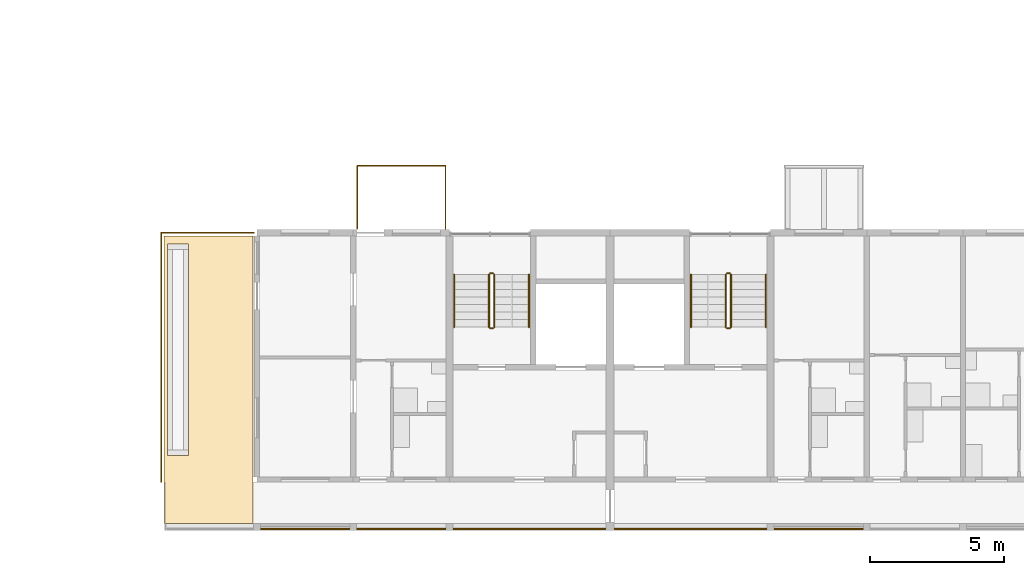
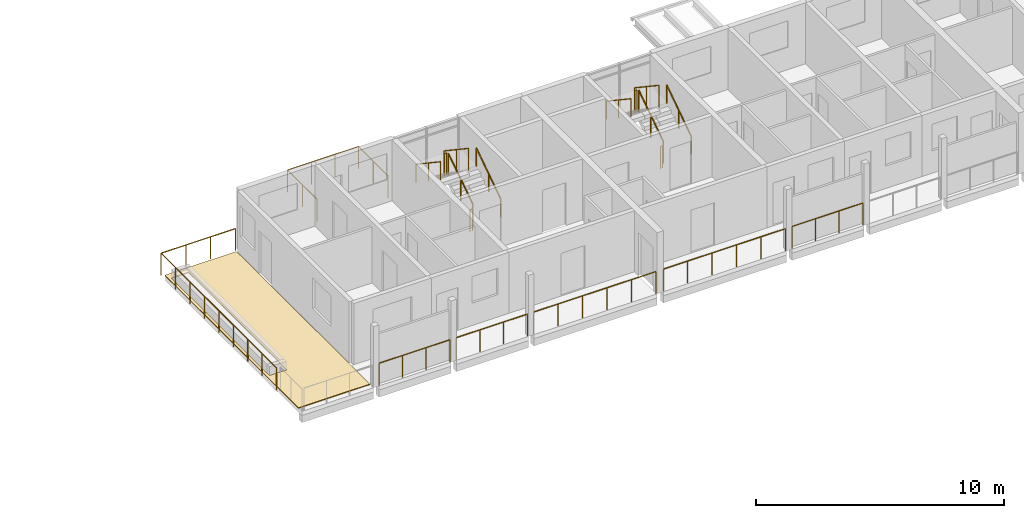
# One storey, part 77 of 87: 19 railings, 2 coverings.
"""IFC4 building model written with IfcOpenShell, lengths in metres."""

from ifc_helpers import new_model, si_unit, direction, frame, origin, origin_2d, place, context, subcontext, project, spatial, polyline, circle, outline, extrude, material, layer, layer_set, type_object, element, save


model = new_model("IFC4")

# Units and contexts
model_context = context("Model", 3, precision=1e-05, world=origin(), true_north=direction((0.0, 1.0)))
body_context = subcontext(model_context, "Body", "Model", "MODEL_VIEW")
ifc_project = project(units=[si_unit("LENGTHUNIT", "METRE"), si_unit("AREAUNIT", "SQUARE_METRE"), si_unit("VOLUMEUNIT", "CUBIC_METRE"), si_unit("PLANEANGLEUNIT", "RADIAN"), si_unit("MASSUNIT", "GRAM", prefix="KILO")], contexts=[model_context])

# Site, building, storey
site_placement = place(None, origin())
site = spatial("IfcSite", under=ifc_project, at=site_placement, CompositionType="ELEMENT")
building_placement = place(site_placement, origin())
building = spatial("IfcBuilding", under=site, at=building_placement, Name="Ridgestep Commons", CompositionType="ELEMENT")
storey_placement = place(building_placement, frame((0.0, 0.0, 27.0)))
storey = spatial("IfcBuildingStorey", under=building, at=storey_placement, Name="L09", CompositionType="ELEMENT", Elevation=27.0)

# Railings
ifc_material_1 = material(Name="Structural steel S355JR", Category="steel")
railing_type_1 = type_object("IfcRailingType", Name="Guard 1100", PredefinedType="GUARDRAIL", material=ifc_material_1)
railing_1_placement = place(storey_placement, frame((146.821044921875, 13.571044921875, 0.0)))
element("IfcRailing", 1, at=railing_1_placement, inside=storey, type_object=railing_type_1, Name="Guard TD-D1R1-GD", PredefinedType="GUARDRAIL", context=body_context, shape_type="SweptSolid", body=[
    extrude(circle(Radius=0.02392578125, at=origin_2d()), frame((0.0, 0.0, 1.076171875), z_axis=(0.0, 1.0, 0.0), x_axis=(-1.0, 0.0, 0.0)), (0.0, 0.0, 1.0), 9.303955078125),
    extrude(circle(Radius=0.02392578125, at=origin_2d()), frame((0.0, 9.303955078125, 1.076171875), z_axis=(1.0, 0.0, 0.0), x_axis=(0.0, 1.0, 0.0)), (0.0, 0.0, 1.0), 3.4580078125),
    extrude(circle(Radius=0.02099609375, at=origin_2d()), origin(), (0.0, 0.0, 1.0), 1.052001953125),
    extrude(circle(Radius=0.02099609375, at=origin_2d()), frame((0.0, 1.1630859375, 0.0)), (0.0, 0.0, 1.0), 1.052001953125),
    extrude(circle(Radius=0.02099609375, at=origin_2d()), frame((0.0, 2.325927734375, 0.0)), (0.0, 0.0, 1.0), 1.052001953125),
    extrude(circle(Radius=0.02099609375, at=origin_2d()), frame((0.0, 3.489013671875, 0.0)), (0.0, 0.0, 1.0), 1.052001953125),
    extrude(circle(Radius=0.02099609375, at=origin_2d()), frame((0.0, 4.65185546875, 0.0)), (0.0, 0.0, 1.0), 1.052001953125),
    extrude(circle(Radius=0.02099609375, at=origin_2d()), frame((0.0, 5.81494140625, 0.0)), (0.0, 0.0, 1.0), 1.052001953125),
    extrude(circle(Radius=0.02099609375, at=origin_2d()), frame((0.0, 6.97802734375, 0.0)), (0.0, 0.0, 1.0), 1.052001953125),
    extrude(circle(Radius=0.02099609375, at=origin_2d()), frame((0.0, 8.140869140625, 0.0)), (0.0, 0.0, 1.0), 1.052001953125),
    extrude(circle(Radius=0.02099609375, at=origin_2d()), frame((0.0, 9.303955078125, 0.0)), (0.0, 0.0, 1.0), 1.052001953125),
    extrude(circle(Radius=0.02099609375, at=origin_2d()), frame((1.152587890625, 9.303955078125, 0.0)), (0.0, 0.0, 1.0), 1.052001953125),
    extrude(circle(Radius=0.02099609375, at=origin_2d()), frame((2.305419921875, 9.303955078125, 0.0)), (0.0, 0.0, 1.0), 1.052001953125),
    extrude(circle(Radius=0.02099609375, at=origin_2d()), frame((3.4580078125, 9.303955078125, 0.0)), (0.0, 0.0, 1.0), 1.052001953125),
])
for number, where, name in (
    (2, (150.5458984375, 11.800048828125, 0.0), "Gallery guard D 09.2"),
    (3, (154.14599609375, 11.800048828125, 0.0), "Gallery guard D 09.3"),
):
    element("IfcRailing", number, at=place(storey_placement, frame(where)), inside=storey, type_object=railing_type_1, Name=name, PredefinedType="GUARDRAIL", context=body_context, shape_type="SweptSolid", body=[
        extrude(circle(Radius=0.02392578125, at=origin_2d()), frame((0.0, 0.0, 1.076171875), z_axis=(1.0, 0.0, 0.0), x_axis=(0.0, 1.0, 0.0)), (0.0, 0.0, 1.0), 3.30810546875),
        extrude(circle(Radius=0.02099609375, at=origin_2d()), origin(), (0.0, 0.0, 1.0), 1.052001953125),
        extrude(circle(Radius=0.02099609375, at=origin_2d()), frame((1.102783203125, 0.0, 0.0)), (0.0, 0.0, 1.0), 1.052001953125),
        extrude(circle(Radius=0.02099609375, at=origin_2d()), frame((2.205322265625, 0.0, 0.0)), (0.0, 0.0, 1.0), 1.052001953125),
        extrude(circle(Radius=0.02099609375, at=origin_2d()), frame((3.30810546875, 0.0, 0.0)), (0.0, 0.0, 1.0), 1.052001953125),
    ])
railing_2_placement = place(storey_placement, frame((157.74609375, 11.800048828125, 0.0)))
element("IfcRailing", 4, at=railing_2_placement, inside=storey, type_object=railing_type_1, Name="Gallery guard D 09.4", PredefinedType="GUARDRAIL", context=body_context, shape_type="SweptSolid", body=[
    extrude(circle(Radius=0.02392578125, at=origin_2d()), frame((0.0, 0.0, 1.076171875), z_axis=(1.0, 0.0, 0.0), x_axis=(0.0, 1.0, 0.0)), (0.0, 0.0, 1.0), 5.682861328125),
    extrude(circle(Radius=0.02099609375, at=origin_2d()), origin(), (0.0, 0.0, 1.0), 1.052001953125),
    extrude(circle(Radius=0.02099609375, at=origin_2d()), frame((1.136474609375, 0.0, 0.0)), (0.0, 0.0, 1.0), 1.052001953125),
    extrude(circle(Radius=0.02099609375, at=origin_2d()), frame((2.273193359375, 0.0, 0.0)), (0.0, 0.0, 1.0), 1.052001953125),
    extrude(circle(Radius=0.02099609375, at=origin_2d()), frame((3.40966796875, 0.0, 0.0)), (0.0, 0.0, 1.0), 1.052001953125),
    extrude(circle(Radius=0.02099609375, at=origin_2d()), frame((4.54638671875, 0.0, 0.0)), (0.0, 0.0, 1.0), 1.052001953125),
    extrude(circle(Radius=0.02099609375, at=origin_2d()), frame((5.682861328125, 0.0, 0.0)), (0.0, 0.0, 1.0), 1.052001953125),
])
railing_3_placement = place(storey_placement, frame((163.77099609375, 11.800048828125, 0.0)))
element("IfcRailing", 5, at=railing_3_placement, inside=storey, type_object=railing_type_1, Name="Gallery guard D 09.5", PredefinedType="GUARDRAIL", context=body_context, shape_type="SweptSolid", body=[
    extrude(circle(Radius=0.02392578125, at=origin_2d()), frame((0.0, 0.0, 1.076171875), z_axis=(1.0, 0.0, 0.0), x_axis=(0.0, 1.0, 0.0)), (0.0, 0.0, 1.0), 5.68310546875),
    extrude(circle(Radius=0.02099609375, at=origin_2d()), origin(), (0.0, 0.0, 1.0), 1.052001953125),
    extrude(circle(Radius=0.02099609375, at=origin_2d()), frame((1.13671875, 0.0, 0.0)), (0.0, 0.0, 1.0), 1.052001953125),
    extrude(circle(Radius=0.02099609375, at=origin_2d()), frame((2.273193359375, 0.0, 0.0)), (0.0, 0.0, 1.0), 1.052001953125),
    extrude(circle(Radius=0.02099609375, at=origin_2d()), frame((3.409912109375, 0.0, 0.0)), (0.0, 0.0, 1.0), 1.052001953125),
    extrude(circle(Radius=0.02099609375, at=origin_2d()), frame((4.54638671875, 0.0, 0.0)), (0.0, 0.0, 1.0), 1.052001953125),
    extrude(circle(Radius=0.02099609375, at=origin_2d()), frame((5.68310546875, 0.0, 0.0)), (0.0, 0.0, 1.0), 1.052001953125),
])
railing_4_placement = place(storey_placement, frame((169.74609375, 11.800048828125, 0.0)))
element("IfcRailing", 6, at=railing_4_placement, inside=storey, type_object=railing_type_1, Name="Gallery guard D 09.6", PredefinedType="GUARDRAIL", context=body_context, shape_type="SweptSolid", body=[
    extrude(circle(Radius=0.02392578125, at=origin_2d()), frame((0.0, 0.0, 1.076171875), z_axis=(1.0, 0.0, 0.0), x_axis=(0.0, 1.0, 0.0)), (0.0, 0.0, 1.0), 3.307861328125),
    extrude(circle(Radius=0.02099609375, at=origin_2d()), origin(), (0.0, 0.0, 1.0), 1.052001953125),
    extrude(circle(Radius=0.02099609375, at=origin_2d()), frame((1.1025390625, 0.0, 0.0)), (0.0, 0.0, 1.0), 1.052001953125),
    extrude(circle(Radius=0.02099609375, at=origin_2d()), frame((2.205322265625, 0.0, 0.0)), (0.0, 0.0, 1.0), 1.052001953125),
    extrude(circle(Radius=0.02099609375, at=origin_2d()), frame((3.307861328125, 0.0, 0.0)), (0.0, 0.0, 1.0), 1.052001953125),
])
ifc_material_2 = material(Name="Structural steel S355JR", Category="steel")
railing_type_2 = type_object("IfcRailingType", Name="Stair guard 1100", PredefinedType="GUARDRAIL", material=ifc_material_2)
railing_5_placement = place(storey_placement, frame((159.27490234375, 19.35009765625, 0.1875)))
element("IfcRailing", 7, at=railing_5_placement, inside=storey, type_object=railing_type_2, Name="L09 D1C stair guard 1", PredefinedType="GUARDRAIL", context=body_context, shape_type="SweptSolid", body=[
    extrude(circle(Radius=0.02392578125, at=origin_2d()), frame((0.0, 0.0, 1.076171875), z_axis=(0.0, 0.830902050051, 0.556418712142), x_axis=(-1.0, 0.0, 0.0)), (0.0, 0.0, 1.0), 2.35888671875),
    extrude(circle(Radius=0.02099609375, at=origin_2d()), origin(), (0.0, 0.0, 1.0), 1.052001953125),
    extrude(circle(Radius=0.02099609375, at=origin_2d()), frame((0.0, 0.97998046875, 0.65625)), (0.0, 0.0, 1.0), 1.052001953125),
    extrude(circle(Radius=0.02099609375, at=origin_2d()), frame((0.0, 1.9599609375, 1.3125)), (0.0, 0.0, 1.0), 1.052001953125),
])
railing_6_placement = place(storey_placement, frame((159.22509765625, 21.360107421875, 1.5)))
element("IfcRailing", 8, at=railing_6_placement, inside=storey, type_object=railing_type_2, Name="L09 D1C stair guard 2", PredefinedType="GUARDRAIL", context=body_context, shape_type="SweptSolid", body=[
    extrude(circle(Radius=0.02392578125, at=origin_2d()), frame((0.0, 0.0, 1.076171875), z_axis=(-1.0, 0.0, 0.0), x_axis=(0.0, -1.0, 0.0)), (0.0, 0.0, 1.0), 0.10009765625),
    extrude(circle(Radius=0.02099609375, at=origin_2d()), origin(), (0.0, 0.0, 1.0), 1.052001953125),
    extrude(circle(Radius=0.02099609375, at=origin_2d()), frame((-0.10009765625, 0.0, 0.0)), (0.0, 0.0, 1.0), 1.052001953125),
])
railing_7_placement = place(storey_placement, frame((159.074951171875, 21.31005859375, 1.6875)))
element("IfcRailing", 9, at=railing_7_placement, inside=storey, type_object=railing_type_2, Name="L09 D1C stair guard 3", PredefinedType="GUARDRAIL", context=body_context, shape_type="SweptSolid", body=[
    extrude(circle(Radius=0.02392578125, at=origin_2d()), frame((0.0, 0.0, 1.076171875), z_axis=(0.0, -0.830902050051, 0.556418712142), x_axis=(1.0, 0.0, 0.0)), (0.0, 0.0, 1.0), 2.35888671875),
    extrude(circle(Radius=0.02099609375, at=origin_2d()), origin(), (0.0, 0.0, 1.0), 1.052001953125),
    extrude(circle(Radius=0.02099609375, at=origin_2d()), frame((0.0, -0.97998046875, 0.65625)), (0.0, 0.0, 1.0), 1.052001953125),
    extrude(circle(Radius=0.02099609375, at=origin_2d()), frame((0.0, -1.9599609375, 1.3125)), (0.0, 0.0, 1.0), 1.052001953125),
])
railing_8_placement = place(storey_placement, frame((159.22509765625, 19.300048828125, 0.0)))
element("IfcRailing", 10, at=railing_8_placement, inside=storey, type_object=railing_type_2, Name="L09 D1C stair guard 4", PredefinedType="GUARDRAIL", context=body_context, shape_type="SweptSolid", body=[
    extrude(circle(Radius=0.02392578125, at=origin_2d()), frame((0.0, 0.0, 1.076171875), z_axis=(-1.0, 0.0, 0.0), x_axis=(0.0, -1.0, 0.0)), (0.0, 0.0, 1.0), 0.10009765625),
    extrude(circle(Radius=0.02099609375, at=origin_2d()), origin(), (0.0, 0.0, 1.0), 1.052001953125),
    extrude(circle(Radius=0.02099609375, at=origin_2d()), frame((-0.10009765625, 0.0, 0.0)), (0.0, 0.0, 1.0), 1.052001953125),
])
railing_9_placement = place(storey_placement, frame((168.125, 19.35009765625, 0.1875)))
element("IfcRailing", 11, at=railing_9_placement, inside=storey, type_object=railing_type_2, Name="L09 D2C stair guard 1", PredefinedType="GUARDRAIL", context=body_context, shape_type="SweptSolid", body=[
    extrude(circle(Radius=0.02392578125, at=origin_2d()), frame((0.0, 0.0, 1.076171875), z_axis=(0.0, 0.830902050051, 0.556418712142), x_axis=(-1.0, 0.0, 0.0)), (0.0, 0.0, 1.0), 2.35888671875),
    extrude(circle(Radius=0.02099609375, at=origin_2d()), origin(), (0.0, 0.0, 1.0), 1.052001953125),
    extrude(circle(Radius=0.02099609375, at=origin_2d()), frame((0.0, 0.97998046875, 0.65625)), (0.0, 0.0, 1.0), 1.052001953125),
    extrude(circle(Radius=0.02099609375, at=origin_2d()), frame((0.0, 1.9599609375, 1.3125)), (0.0, 0.0, 1.0), 1.052001953125),
])
railing_10_placement = place(storey_placement, frame((168.074951171875, 21.360107421875, 1.5)))
element("IfcRailing", 12, at=railing_10_placement, inside=storey, type_object=railing_type_2, Name="L09 D2C stair guard 2", PredefinedType="GUARDRAIL", context=body_context, shape_type="SweptSolid", body=[
    extrude(circle(Radius=0.02392578125, at=origin_2d()), frame((0.0, 0.0, 1.076171875), z_axis=(-1.0, 0.0, 0.0), x_axis=(0.0, -1.0, 0.0)), (0.0, 0.0, 1.0), 0.099853515625),
    extrude(circle(Radius=0.02099609375, at=origin_2d()), origin(), (0.0, 0.0, 1.0), 1.052001953125),
    extrude(circle(Radius=0.02099609375, at=origin_2d()), frame((-0.099853515625, 0.0, 0.0)), (0.0, 0.0, 1.0), 1.052001953125),
])
railing_11_placement = place(storey_placement, frame((167.925048828125, 21.31005859375, 1.6875)))
element("IfcRailing", 13, at=railing_11_placement, inside=storey, type_object=railing_type_2, Name="L09 D2C stair guard 3", PredefinedType="GUARDRAIL", context=body_context, shape_type="SweptSolid", body=[
    extrude(circle(Radius=0.02392578125, at=origin_2d()), frame((0.0, 0.0, 1.076171875), z_axis=(0.0, -0.830902050051, 0.556418712142), x_axis=(1.0, 0.0, 0.0)), (0.0, 0.0, 1.0), 2.35888671875),
    extrude(circle(Radius=0.02099609375, at=origin_2d()), origin(), (0.0, 0.0, 1.0), 1.052001953125),
    extrude(circle(Radius=0.02099609375, at=origin_2d()), frame((0.0, -0.97998046875, 0.65625)), (0.0, 0.0, 1.0), 1.052001953125),
    extrude(circle(Radius=0.02099609375, at=origin_2d()), frame((0.0, -1.9599609375, 1.3125)), (0.0, 0.0, 1.0), 1.052001953125),
])
railing_12_placement = place(storey_placement, frame((168.074951171875, 19.300048828125, 0.0)))
element("IfcRailing", 14, at=railing_12_placement, inside=storey, type_object=railing_type_2, Name="L09 D2C stair guard 4", PredefinedType="GUARDRAIL", context=body_context, shape_type="SweptSolid", body=[
    extrude(circle(Radius=0.02392578125, at=origin_2d()), frame((0.0, 0.0, 1.076171875), z_axis=(-1.0, 0.0, 0.0), x_axis=(0.0, -1.0, 0.0)), (0.0, 0.0, 1.0), 0.099853515625),
    extrude(circle(Radius=0.02099609375, at=origin_2d()), origin(), (0.0, 0.0, 1.0), 1.052001953125),
    extrude(circle(Radius=0.02099609375, at=origin_2d()), frame((-0.099853515625, 0.0, 0.0)), (0.0, 0.0, 1.0), 1.052001953125),
])
ifc_material_3 = material(Name="Structural steel S355JR", Category="steel")
railing_type_3 = type_object("IfcRailingType", Name="Stair handrail 900", PredefinedType="HANDRAIL", material=ifc_material_3)
railing_13_placement = place(storey_placement, frame((160.574951171875, 19.35009765625, 0.1875)))
element("IfcRailing", 15, at=railing_13_placement, inside=storey, type_object=railing_type_3, Name="L09 D1C stair handrail 1", PredefinedType="HANDRAIL", context=body_context, shape_type="SweptSolid", body=[
    extrude(circle(Radius=0.02392578125, at=origin_2d()), frame((0.0, 0.0, 0.8759765625), z_axis=(0.0, 0.830902050051, 0.556418712142), x_axis=(-1.0, 0.0, 0.0)), (0.0, 0.0, 1.0), 2.35888671875),
    extrude(circle(Radius=0.02099609375, at=origin_2d()), origin(), (0.0, 0.0, 1.0), 0.851806640625),
    extrude(circle(Radius=0.02099609375, at=origin_2d()), frame((0.0, 0.97998046875, 0.65625)), (0.0, 0.0, 1.0), 0.851806640625),
    extrude(circle(Radius=0.02099609375, at=origin_2d()), frame((0.0, 1.9599609375, 1.3125)), (0.0, 0.0, 1.0), 0.851806640625),
])
railing_14_placement = place(storey_placement, frame((157.77490234375, 21.31005859375, 1.6875)))
element("IfcRailing", 16, at=railing_14_placement, inside=storey, type_object=railing_type_3, Name="L09 D1C stair handrail 2", PredefinedType="HANDRAIL", context=body_context, shape_type="SweptSolid", body=[
    extrude(circle(Radius=0.02392578125, at=origin_2d()), frame((0.0, 0.0, 0.8759765625), z_axis=(0.0, -0.830902050051, 0.556418712142), x_axis=(1.0, 0.0, 0.0)), (0.0, 0.0, 1.0), 2.35888671875),
    extrude(circle(Radius=0.02099609375, at=origin_2d()), origin(), (0.0, 0.0, 1.0), 0.851806640625),
    extrude(circle(Radius=0.02099609375, at=origin_2d()), frame((0.0, -0.97998046875, 0.65625)), (0.0, 0.0, 1.0), 0.851806640625),
    extrude(circle(Radius=0.02099609375, at=origin_2d()), frame((0.0, -1.9599609375, 1.3125)), (0.0, 0.0, 1.0), 0.851806640625),
])
railing_15_placement = place(storey_placement, frame((169.425048828125, 19.35009765625, 0.1875)))
element("IfcRailing", 17, at=railing_15_placement, inside=storey, type_object=railing_type_3, Name="L09 D2C stair handrail 1", PredefinedType="HANDRAIL", context=body_context, shape_type="SweptSolid", body=[
    extrude(circle(Radius=0.02392578125, at=origin_2d()), frame((0.0, 0.0, 0.8759765625), z_axis=(0.0, 0.830902050051, 0.556418712142), x_axis=(-1.0, 0.0, 0.0)), (0.0, 0.0, 1.0), 2.35888671875),
    extrude(circle(Radius=0.02099609375, at=origin_2d()), origin(), (0.0, 0.0, 1.0), 0.851806640625),
    extrude(circle(Radius=0.02099609375, at=origin_2d()), frame((0.0, 0.97998046875, 0.65625)), (0.0, 0.0, 1.0), 0.851806640625),
    extrude(circle(Radius=0.02099609375, at=origin_2d()), frame((0.0, 1.9599609375, 1.3125)), (0.0, 0.0, 1.0), 0.851806640625),
])
railing_16_placement = place(storey_placement, frame((166.625, 21.31005859375, 1.6875)))
element("IfcRailing", 18, at=railing_16_placement, inside=storey, type_object=railing_type_3, Name="L09 D2C stair handrail 2", PredefinedType="HANDRAIL", context=body_context, shape_type="SweptSolid", body=[
    extrude(circle(Radius=0.02392578125, at=origin_2d()), frame((0.0, 0.0, 0.8759765625), z_axis=(0.0, -0.830902050051, 0.556418712142), x_axis=(1.0, 0.0, 0.0)), (0.0, 0.0, 1.0), 2.35888671875),
    extrude(circle(Radius=0.02099609375, at=origin_2d()), origin(), (0.0, 0.0, 1.0), 0.851806640625),
    extrude(circle(Radius=0.02099609375, at=origin_2d()), frame((0.0, -0.97998046875, 0.65625)), (0.0, 0.0, 1.0), 0.851806640625),
    extrude(circle(Radius=0.02099609375, at=origin_2d()), frame((0.0, -1.9599609375, 1.3125)), (0.0, 0.0, 1.0), 0.851806640625),
])

# Coverings
ifc_material_4 = material(Name="Bitumen membrane, two layer")
ifc_layer_1 = layer(ifc_material_4, 0.010009765625)
ifc_layer_set_1 = layer_set([ifc_layer_1], Name="Terrace membrane 10")
covering_type_1 = type_object("IfcCoveringType", Name="Terrace membrane 10", PredefinedType="ROOFING", material=ifc_layer_set_1)
covering_1_placement = place(storey_placement, origin())
element("IfcCovering", 19, at=covering_1_placement, inside=storey, type_object=covering_type_1, Name="Terrace membrane D1R1", PredefinedType="ROOFING", context=body_context, shape_type="SweptSolid", body=[
    extrude(outline(polyline([(150.25, 12.0), (150.25, 22.75), (146.925048828125, 22.75), (146.925048828125, 12.0), (150.25, 12.0)]), holes=[polyline([(147.85009765625, 14.550048828125), (147.85009765625, 22.449951171875), (147.050048828125, 22.449951171875), (147.050048828125, 14.550048828125), (147.85009765625, 14.550048828125)])]), origin(), (0.0, 0.0, 1.0), 0.010009765625),
])
ifc_material_5 = material(Name="Concrete paving slab", Category="concrete")
ifc_layer_2 = layer(ifc_material_5, 0.030029296875)
ifc_layer_set_2 = layer_set([ifc_layer_2], Name="Terrace paving 30")
covering_type_2 = type_object("IfcCoveringType", Name="Terrace paving 30", PredefinedType="FLOORING", material=ifc_layer_set_2)
covering_2_placement = place(storey_placement, frame((0.0, 0.0, 0.010009765625)))
element("IfcCovering", 20, at=covering_2_placement, inside=storey, type_object=covering_type_2, Name="Terrace paving D1R1", PredefinedType="FLOORING", context=body_context, shape_type="SweptSolid", body=[
    extrude(outline(polyline([(150.25, 12.0), (150.25, 22.75), (146.925048828125, 22.75), (146.925048828125, 12.0), (150.25, 12.0)]), holes=[polyline([(147.85009765625, 14.550048828125), (147.85009765625, 22.449951171875), (147.050048828125, 22.449951171875), (147.050048828125, 14.550048828125), (147.85009765625, 14.550048828125)])]), origin(), (0.0, 0.0, 1.0), 0.030029296875),
])

# Railing
ifc_material_6 = material(Name="Weathering steel S355J2W", Category="steel")
railing_type_4 = type_object("IfcRailingType", Name="Tray guard 1100", PredefinedType="GUARDRAIL", material=ifc_material_6)
railing_17_placement = place(storey_placement, frame((154.15087890625, 23.02099609375, 0.0)))
element("IfcRailing", 21, at=railing_17_placement, inside=storey, type_object=railing_type_4, Name="Tray guard D1T3-09", PredefinedType="GUARDRAIL", context=body_context, shape_type="SweptSolid", body=[
    extrude(circle(Radius=0.02392578125, at=origin_2d()), frame((0.0, 0.0, 1.076171875), z_axis=(0.0, 1.0, 0.0), x_axis=(-1.0, 0.0, 0.0)), (0.0, 0.0, 1.0), 2.35791015625),
    extrude(circle(Radius=0.02392578125, at=origin_2d()), frame((0.0, 2.35791015625, 1.076171875), z_axis=(1.0, 0.0, 0.0), x_axis=(0.0, 1.0, 0.0)), (0.0, 0.0, 1.0), 3.298095703125),
    extrude(circle(Radius=0.02392578125, at=origin_2d()), frame((3.298095703125, 2.35791015625, 1.076171875), z_axis=(0.0, -1.0, 0.0), x_axis=(1.0, 0.0, 0.0)), (0.0, 0.0, 1.0), 2.35791015625),
    extrude(circle(Radius=0.02099609375, at=origin_2d()), origin(), (0.0, 0.0, 1.0), 1.052001953125),
    extrude(circle(Radius=0.02099609375, at=origin_2d()), frame((0.0, 1.178955078125, 0.0)), (0.0, 0.0, 1.0), 1.052001953125),
    extrude(circle(Radius=0.02099609375, at=origin_2d()), frame((0.0, 2.35791015625, 0.0)), (0.0, 0.0, 1.0), 1.052001953125),
    extrude(circle(Radius=0.02099609375, at=origin_2d()), frame((1.099365234375, 2.35791015625, 0.0)), (0.0, 0.0, 1.0), 1.052001953125),
    extrude(circle(Radius=0.02099609375, at=origin_2d()), frame((2.19873046875, 2.35791015625, 0.0)), (0.0, 0.0, 1.0), 1.052001953125),
    extrude(circle(Radius=0.02099609375, at=origin_2d()), frame((3.298095703125, 2.35791015625, 0.0)), (0.0, 0.0, 1.0), 1.052001953125),
    extrude(circle(Radius=0.02099609375, at=origin_2d()), frame((3.298095703125, 1.178955078125, 0.0)), (0.0, 0.0, 1.0), 1.052001953125),
    extrude(circle(Radius=0.02099609375, at=origin_2d()), frame((3.298095703125, 0.0, 0.0)), (0.0, 0.0, 1.0), 1.052001953125),
])

save(model, "model.ifc")
